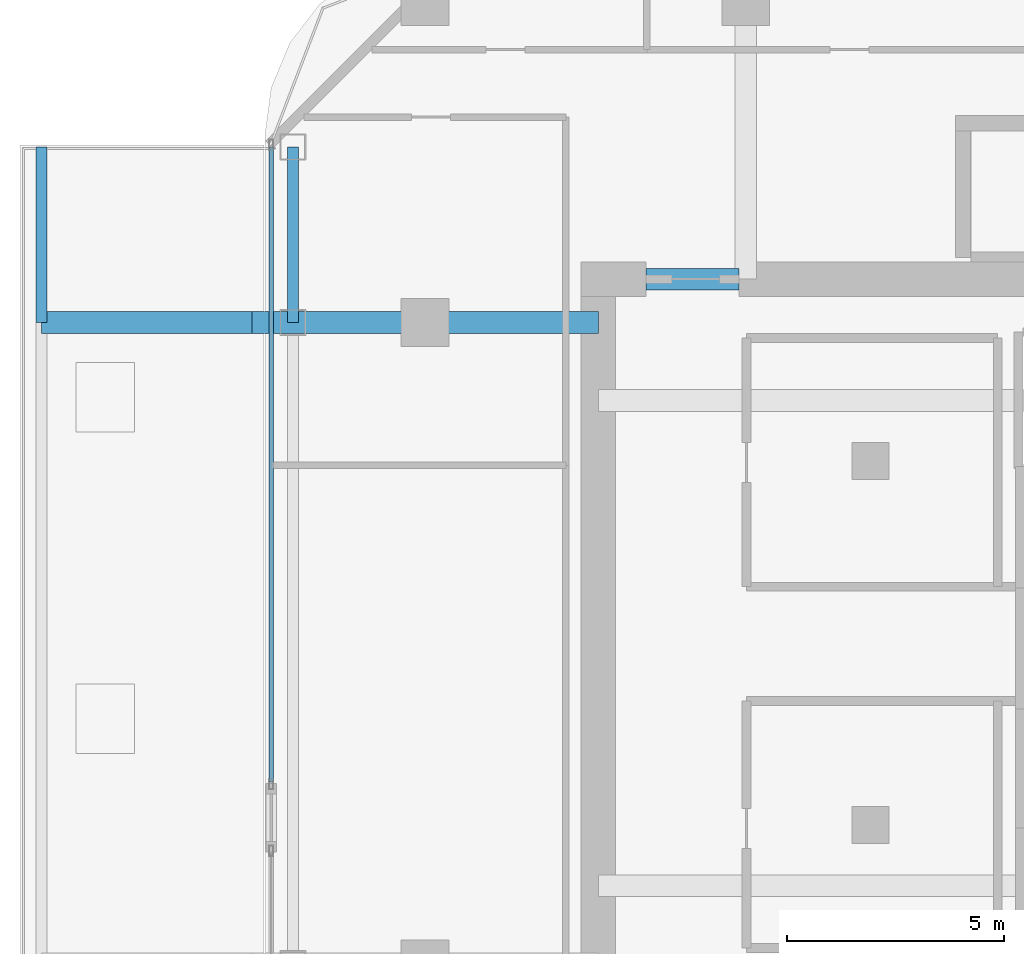
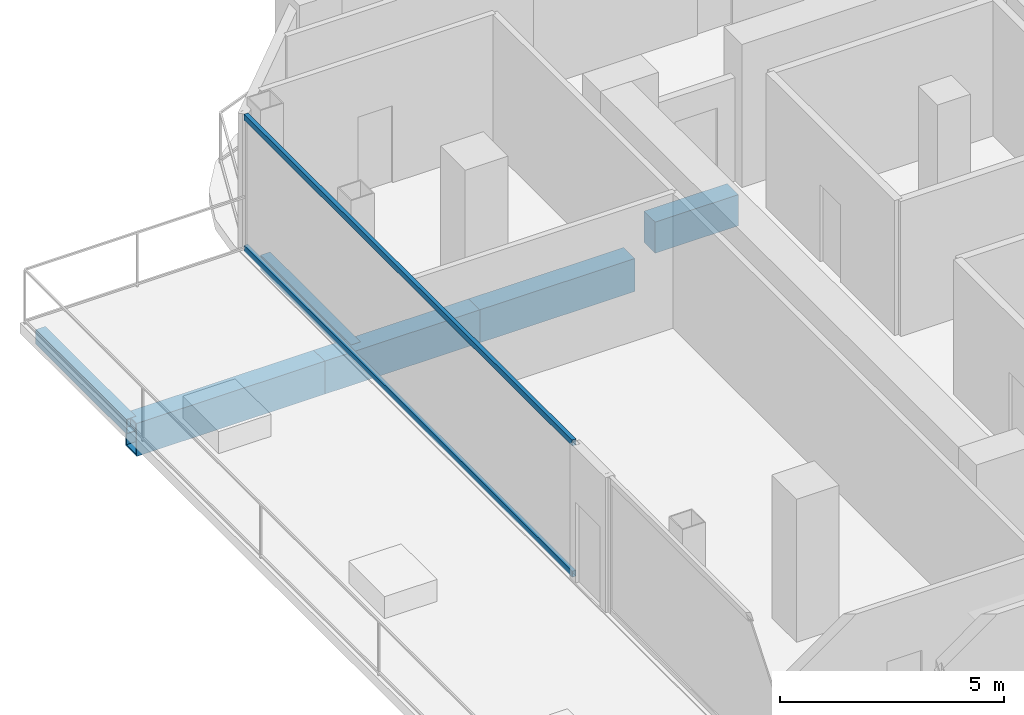
# One storey, part 13 of 26: 6 beams, 2 members, 1 element without a shape of its own.
"""IFC4 building model written with IfcOpenShell, lengths in metres."""

from ifc_helpers import new_model, si_unit, direction, frame, origin, origin_2d, place, context, subcontext, project, spatial, rectangle, hollow_rectangle, extrude, material, layer, layer_set, material_profile, profile_set, type_object, element, aggregate, save


model = new_model("IFC4")

# Units and contexts
model_context = context("Model", 3, precision=1e-05, world=origin(), true_north=direction((0.0, 1.0)))
body_context = subcontext(model_context, "Body", "Model", "MODEL_VIEW")
ifc_project = project(units=[si_unit("LENGTHUNIT", "METRE"), si_unit("AREAUNIT", "SQUARE_METRE"), si_unit("VOLUMEUNIT", "CUBIC_METRE"), si_unit("PLANEANGLEUNIT", "RADIAN"), si_unit("MASSUNIT", "GRAM", prefix="KILO")], contexts=[model_context])

# Site, building, storey
site_placement = place(None, origin())
site = spatial("IfcSite", under=ifc_project, at=site_placement, CompositionType="ELEMENT")
building_placement = place(site_placement, origin())
building = spatial("IfcBuilding", under=site, at=building_placement, Name="Khorvyn Point Tower", CompositionType="ELEMENT")
storey_placement = place(building_placement, frame((0.0, 0.0, 219.60009765625)))
storey = spatial("IfcBuildingStorey", under=building, at=storey_placement, Name="L54", CompositionType="ELEMENT", Elevation=219.60009765625)

# Curtain wall, members
ifc_material_1 = material(Name="Anodised aluminium 6063-T6 and laminated Low-E glass", Category="aluminium")
ifc_layer = layer(ifc_material_1, 0.18994140625)
ifc_layer_set = layer_set([ifc_layer], Name="Stick-Built Acoustic Curtain Wall CW-SYS-03")
curtain_wall_type = type_object("IfcCurtainWallType", Name="Stick-Built Acoustic Curtain Wall CW-SYS-03", PredefinedType="NOTDEFINED", material=ifc_layer_set)
curtain_wall_placement = place(storey_placement, origin())
curtain_wall = element("IfcCurtainWall", 1, at=curtain_wall_placement, inside=storey, type_object=curtain_wall_type, Name="Curtain Wall", PredefinedType="NOTDEFINED")
ifc_material_2 = material(Name="Anodised aluminium 6063-T6", Category="aluminium")
ifc_material_profile_1 = material_profile(ifc_material_2, hollow_rectangle(XDim=0.10009765625, YDim=0.159912109375, WallThickness=0.00439453125, at=origin_2d()))
ifc_profile_set_1 = profile_set([ifc_material_profile_1], Name="Anodised aluminium 6063-T6 ALU-TRN-100x160")
member_type = type_object("IfcMemberType", Name="Anodised Aluminium 6063-T6 Transom ALU-TRN-100x160", PredefinedType="USERDEFINED", material=ifc_profile_set_1)
member_1_placement = place(storey_placement, frame((-18.35009765625, -3.2099609375, 0.0498046875), z_axis=(0.0, 1.0, 0.0), x_axis=(-1.0, 0.0, 0.0)))
member_1 = element("IfcMember", 2, at=member_1_placement, type_object=member_type, Name="Transom", ObjectType="TRANSOM", PredefinedType="USERDEFINED", context=body_context, shape_type="SweptSolid", body=[
    extrude(hollow_rectangle(XDim=0.10009765625, YDim=0.159912109375, WallThickness=0.00439453125, at=origin_2d()), origin(), (0.0, 0.0, 1.0), 14.659912109375),
])
member_2_placement = place(storey_placement, frame((-18.35009765625, -3.2099609375, 3.6298828125), z_axis=(0.0, 1.0, 0.0), x_axis=(-1.0, 0.0, 0.0)))
member_2 = element("IfcMember", 3, at=member_2_placement, type_object=member_type, Name="Transom", ObjectType="TRANSOM", PredefinedType="USERDEFINED", context=body_context, shape_type="SweptSolid", body=[
    extrude(hollow_rectangle(XDim=0.10009765625, YDim=0.159912109375, WallThickness=0.00439453125, at=origin_2d()), origin(), (0.0, 0.0, 1.0), 14.659912109375),
])
aggregate(curtain_wall, [member_1, member_2])

# Beams
ifc_material_3 = material(Name="Concrete C45/55", Category="concrete")
ifc_material_profile_2 = material_profile(ifc_material_3, rectangle(XDim=0.5, YDim=0.85009765625, at=origin_2d()))
ifc_profile_set_2 = profile_set([ifc_material_profile_2], Name="Concrete C45/55 RC500x850")
beam_type_1 = type_object("IfcBeamType", Name="Concrete C45/55 Beam RC500x850", PredefinedType="BEAM", material=ifc_profile_set_2)
beam_1_placement = place(storey_placement, frame((-9.699951171875, 8.39990234375, -0.705078125), z_axis=(1.0, 0.0, 0.0), x_axis=(0.0, 1.0, 0.0)))
element("IfcBeam", 4, at=beam_1_placement, inside=storey, type_object=beam_type_1, Name="L54 Core Northwest Portal Coupling Beam", PredefinedType="BEAM", context=body_context, shape_type="SweptSolid", body=[
    extrude(rectangle(XDim=0.5, YDim=0.85009765625, at=origin_2d()), origin(), (0.0, 0.0, 1.0), 2.14990234375),
])
ifc_material_4 = material(Name="Steel S355", Category="steel")
ifc_material_profile_3 = material_profile(ifc_material_4, hollow_rectangle(XDim=0.25, YDim=0.39990234375, WallThickness=0.01611328125, at=origin_2d()))
ifc_profile_set_3 = profile_set([ifc_material_profile_3], Name="Steel S355 RHS400x250x16")
beam_type_2 = type_object("IfcBeamType", Name="Steel S355 Spandrel RHS400x250x16", PredefinedType="SPANDREL", material=ifc_profile_set_3)
for number, where, z_axis, x_axis, name in (
    (5, (-17.85009765625, 7.39990234375, -0.47998046875), (0.0, 1.0, 0.0), (-1.0, 0.0, 0.0), "Beam"),
    (6, (-23.64990234375, 7.39990234375, -0.47998046875), (0.0, 1.0, 0.0), (-1.0, 0.0, 0.0), "Beam"),
):
    element("IfcBeam", number, at=place(storey_placement, frame(where, z_axis=z_axis, x_axis=x_axis)), inside=storey, type_object=beam_type_2, Name=name, PredefinedType="SPANDREL", context=body_context, shape_type="SweptSolid", body=[
        extrude(hollow_rectangle(XDim=0.25, YDim=0.39990234375, WallThickness=0.01611328125, at=origin_2d()), origin(), (0.0, 0.0, 1.0), 4.050048828125),
    ])
ifc_material_5 = material(Name="Steel S450", Category="steel")
ifc_material_profile_4 = material_profile(ifc_material_5, hollow_rectangle(XDim=0.5, YDim=0.89990234375, WallThickness=0.0400390625, at=origin_2d()))
ifc_profile_set_4 = profile_set([ifc_material_profile_4], Name="Steel S450 BOX900x500x40")
beam_type_3 = type_object("IfcBeamType", Name="Steel S450 Beam BOX900x500x40", PredefinedType="BEAM", material=ifc_profile_set_4)
beam_2_placement = place(storey_placement, frame((-23.64990234375, 7.39990234375, -0.72998046875), z_axis=(1.0, 0.0, 0.0), x_axis=(0.0, 1.0, 0.0)))
element("IfcBeam", 7, at=beam_2_placement, inside=storey, type_object=beam_type_3, Name="Beam", PredefinedType="BEAM", context=body_context, shape_type="SweptSolid", body=[
    extrude(hollow_rectangle(XDim=0.5, YDim=0.89990234375, WallThickness=0.0400390625, at=origin_2d()), origin(), (0.0, 0.0, 1.0), 4.849853515625),
])
for number, where, z_axis, x_axis, name in (
    (8, (-18.800048828125, 7.39990234375, -0.72998046875), (1.0, 0.0, 0.0), (0.0, 1.0, 0.0), "Beam"),
    (9, (-14.800048828125, 7.39990234375, -0.72998046875), (1.0, 0.0, 0.0), (0.0, 1.0, 0.0), "Beam"),
):
    element("IfcBeam", number, at=place(storey_placement, frame(where, z_axis=z_axis, x_axis=x_axis)), inside=storey, type_object=beam_type_3, Name=name, PredefinedType="BEAM", context=body_context, shape_type="SweptSolid", body=[
        extrude(hollow_rectangle(XDim=0.5, YDim=0.89990234375, WallThickness=0.0400390625, at=origin_2d()), origin(), (0.0, 0.0, 1.0), 4.0),
    ])

save(model, "model.ifc")
